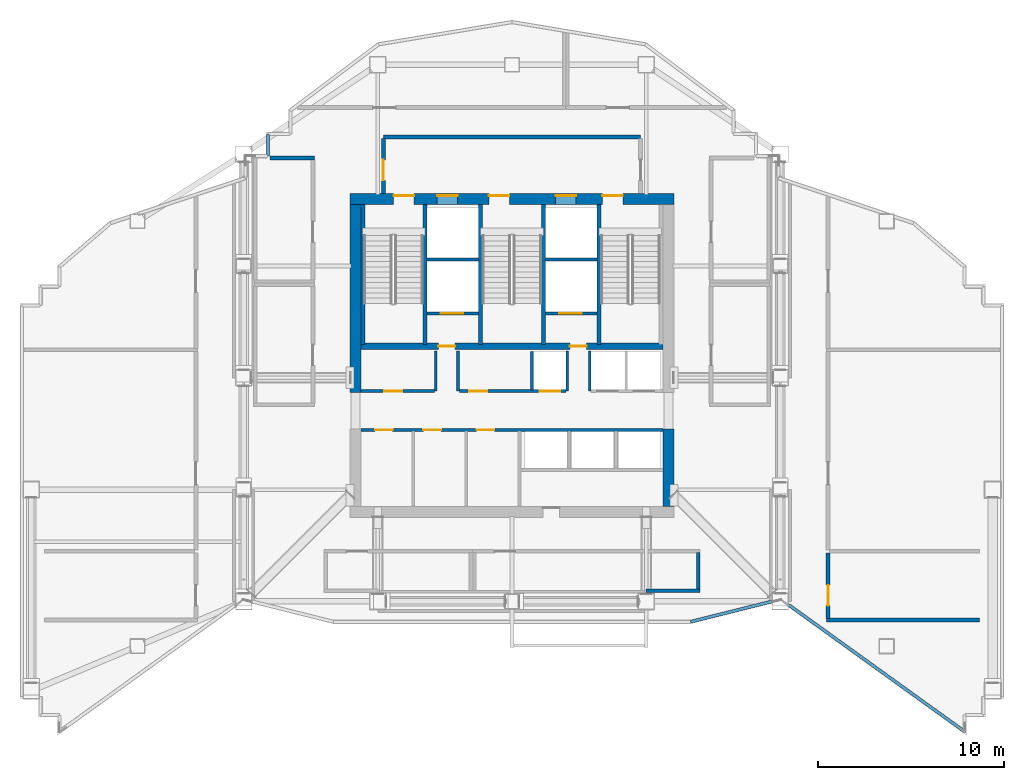
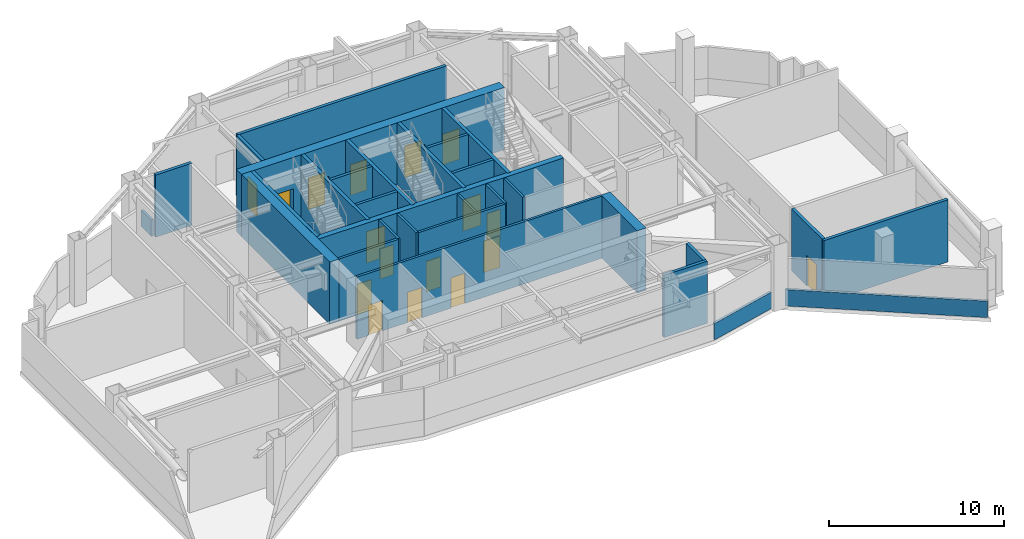
# One storey, part 13 of 19: 31 walls, 17 doors, 17 openings.
"""IFC4 building model written with IfcOpenShell, lengths in metres."""

from ifc_helpers import new_model, si_unit, direction, frame, frame_2d, origin, place, context, subcontext, project, spatial, rectangle, extrude, material, layer, layer_set, type_object, element, fill, save


model = new_model("IFC4")

# Units and contexts
model_context = context("Model", 3, precision=1e-05, world=origin(), true_north=direction((0.0, 1.0)))
body_context = subcontext(model_context, "Body", "Model", "MODEL_VIEW")
ifc_project = project(units=[si_unit("LENGTHUNIT", "METRE"), si_unit("AREAUNIT", "SQUARE_METRE"), si_unit("VOLUMEUNIT", "CUBIC_METRE"), si_unit("PLANEANGLEUNIT", "RADIAN"), si_unit("MASSUNIT", "GRAM", prefix="KILO")], contexts=[model_context])

# Site, building, storey
site_placement = place(None, origin())
site = spatial("IfcSite", under=ifc_project, at=site_placement, CompositionType="ELEMENT")
building_placement = place(site_placement, origin())
building = spatial("IfcBuilding", under=site, at=building_placement, Name="Haolan Belvedere Tower", CompositionType="ELEMENT")
storey_placement = place(building_placement, frame((0.0, 0.0, 230.60009765625)))
storey = spatial("IfcBuildingStorey", under=building, at=storey_placement, Name="L58", CompositionType="ELEMENT", Elevation=230.60009765625)

# Wall, openings, doors
ifc_material_1 = material(Name="Concrete C60/75", Category="concrete")
ifc_layer_1 = layer(ifc_material_1, 0.60009765625, Name="Concrete C60/75")
ifc_layer_set_1 = layer_set([ifc_layer_1], Name="Concrete C60/75")
wall_type_1 = type_object("IfcWallType", Name="WL-CORE-600", PredefinedType="SHEAR", material=ifc_layer_set_1)
wall_1_placement = place(storey_placement, frame((29.699951171875, 43.199951171875, 0.0), z_axis=(0.0, 0.0, 1.0), x_axis=(1.0, 0.0, 0.0)))
wall_1 = element("IfcWall", 1, at=wall_1_placement, inside=storey, type_object=wall_type_1, Name="L58 central core north shear wall", PredefinedType="SHEAR", context=body_context, shape_type="SweptSolid", body=[
    extrude(rectangle(XDim=17.400146484375, YDim=0.60009765625, at=frame_2d((8.7001953125, 0.0))), origin(), (0.0, 0.0, 1.0), 4.349853515625),
])
opening_1_placement = place(wall_1_placement, frame((2.35009765625, 0.0, 0.0)))
opening_1 = element("IfcOpeningElement", 2, at=opening_1_placement, cuts=wall_1, Name="Opening FD-03", PredefinedType="OPENING", context=body_context, shape_type="SweptSolid", body=[
    extrude(rectangle(XDim=1.10009765625, YDim=2.14990234375, at=frame_2d((0.550048828125, 1.074951171875))), frame((0.0, 0.31005859375, 0.0), z_axis=(0.0, -1.0, 0.0), x_axis=(1.0, 0.0, 0.0)), (0.0, 0.0, 1.0), 0.6201171875),
])
opening_2_placement = place(wall_1_placement, frame((7.4599609375, 0.0, 0.0)))
opening_2 = element("IfcOpeningElement", 3, at=opening_2_placement, cuts=wall_1, Name="Opening FD-03", PredefinedType="OPENING", context=body_context, shape_type="SweptSolid", body=[
    extrude(rectangle(XDim=1.10009765625, YDim=2.14990234375, at=frame_2d((0.550048828125, 1.074951171875))), frame((0.0, 0.31005859375, 0.0), z_axis=(0.0, -1.0, 0.0), x_axis=(1.0, 0.0, 0.0)), (0.0, 0.0, 1.0), 0.6201171875),
])
opening_3_placement = place(wall_1_placement, frame((13.550048828125, 0.0, 0.0)))
opening_3 = element("IfcOpeningElement", 4, at=opening_3_placement, cuts=wall_1, Name="Opening FD-03", PredefinedType="OPENING", context=body_context, shape_type="SweptSolid", body=[
    extrude(rectangle(XDim=1.10009765625, YDim=2.14990234375, at=frame_2d((0.550048828125, 1.074951171875))), frame((0.0, 0.31005859375, 0.0), z_axis=(0.0, -1.0, 0.0), x_axis=(1.0, 0.0, 0.0)), (0.0, 0.0, 1.0), 0.6201171875),
])
opening_4_placement = place(wall_1_placement, frame((4.679931640625, 0.0, 0.0)))
opening_4 = element("IfcOpeningElement", 5, at=opening_4_placement, cuts=wall_1, Name="Opening LD-01", PredefinedType="OPENING", context=body_context, shape_type="SweptSolid", body=[
    extrude(rectangle(XDim=1.10009765625, YDim=2.199951171875, at=frame_2d((0.550048828125, 1.10009765625))), frame((0.0, 0.31005859375, 0.0), z_axis=(0.0, -1.0, 0.0), x_axis=(1.0, 0.0, 0.0)), (0.0, 0.0, 1.0), 0.6201171875),
])
opening_5_placement = place(wall_1_placement, frame((11.0400390625, 0.0, 0.0)))
opening_5 = element("IfcOpeningElement", 6, at=opening_5_placement, cuts=wall_1, Name="Opening LD-01", PredefinedType="OPENING", context=body_context, shape_type="SweptSolid", body=[
    extrude(rectangle(XDim=1.10009765625, YDim=2.199951171875, at=frame_2d((0.550048828125, 1.10009765625))), frame((0.0, 0.31005859375, 0.0), z_axis=(0.0, -1.0, 0.0), x_axis=(1.0, 0.0, 0.0)), (0.0, 0.0, 1.0), 0.6201171875),
])
ifc_material_2 = material(Name="Galvanised fire-rated steel", Category="steel")
door_type_1 = type_object("IfcDoorType", Name="DR-FD90-1100", OperationType="NOTDEFINED", PredefinedType="DOOR", material=ifc_material_2)
door_1_placement = place(opening_1_placement, origin())
door_1 = element("IfcDoor", 7, at=door_1_placement, inside=storey, type_object=door_type_1, Name="L58 door CD-L58-ST1", OperationType="SINGLE_SWING_LEFT", OverallHeight=2.14990234375, OverallWidth=1.10009765625, PredefinedType="DOOR", context=body_context, shape_type="SweptSolid", body=[
    extrude(rectangle(XDim=1.10009765625, YDim=2.14990234375, at=frame_2d((0.550048828125, 1.074951171875))), frame((0.0, 0.18505859375, 0.0), z_axis=(0.0, -1.0, 0.0), x_axis=(1.0, 0.0, 0.0)), (0.0, 0.0, 1.0), 0.050048828125),
])
fill(opening_1, door_1)
door_2_placement = place(opening_2_placement, origin())
door_2 = element("IfcDoor", 8, at=door_2_placement, inside=storey, type_object=door_type_1, Name="L58 door CD-L58-ST3", OperationType="SINGLE_SWING_LEFT", OverallHeight=2.14990234375, OverallWidth=1.10009765625, PredefinedType="DOOR", context=body_context, shape_type="SweptSolid", body=[
    extrude(rectangle(XDim=1.10009765625, YDim=2.14990234375, at=frame_2d((0.550048828125, 1.074951171875))), frame((0.0, 0.18505859375, 0.0), z_axis=(0.0, -1.0, 0.0), x_axis=(1.0, 0.0, 0.0)), (0.0, 0.0, 1.0), 0.050048828125),
])
fill(opening_2, door_2)
door_3_placement = place(opening_3_placement, origin())
door_3 = element("IfcDoor", 9, at=door_3_placement, inside=storey, type_object=door_type_1, Name="L58 door CD-L58-ST2", OperationType="SINGLE_SWING_RIGHT", OverallHeight=2.14990234375, OverallWidth=1.10009765625, PredefinedType="DOOR", context=body_context, shape_type="SweptSolid", body=[
    extrude(rectangle(XDim=1.10009765625, YDim=2.14990234375, at=frame_2d((0.550048828125, 1.074951171875))), frame((0.0, 0.18505859375, 0.0), z_axis=(0.0, -1.0, 0.0), x_axis=(1.0, 0.0, 0.0)), (0.0, 0.0, 1.0), 0.050048828125),
])
fill(opening_3, door_3)
ifc_material_3 = material(Name="Brushed champagne stainless steel 316L", Category="steel")
door_type_2 = type_object("IfcDoorType", Name="DR-LIFT-1100", OperationType="SLIDING_TO_LEFT", PredefinedType="DOOR", material=ifc_material_3)
door_4_placement = place(opening_4_placement, origin())
door_4 = element("IfcDoor", 10, at=door_4_placement, inside=storey, type_object=door_type_2, Name="L58 door LD-L58-FF1", OperationType="SLIDING_TO_LEFT", OverallHeight=2.199951171875, OverallWidth=1.10009765625, PredefinedType="DOOR", context=body_context, shape_type="SweptSolid", body=[
    extrude(rectangle(XDim=1.10009765625, YDim=2.199951171875, at=frame_2d((0.550048828125, 1.10009765625))), frame((0.0, 0.18505859375, 0.0), z_axis=(0.0, -1.0, 0.0), x_axis=(1.0, 0.0, 0.0)), (0.0, 0.0, 1.0), 0.050048828125),
])
fill(opening_4, door_4)
door_5_placement = place(opening_5_placement, origin())
door_5 = element("IfcDoor", 11, at=door_5_placement, inside=storey, type_object=door_type_2, Name="L58 door LD-L58-FF2", OperationType="SLIDING_TO_LEFT", OverallHeight=2.199951171875, OverallWidth=1.10009765625, PredefinedType="DOOR", context=body_context, shape_type="SweptSolid", body=[
    extrude(rectangle(XDim=1.10009765625, YDim=2.199951171875, at=frame_2d((0.550048828125, 1.10009765625))), frame((0.0, 0.18505859375, 0.0), z_axis=(0.0, -1.0, 0.0), x_axis=(1.0, 0.0, 0.0)), (0.0, 0.0, 1.0), 0.050048828125),
])
fill(opening_5, door_5)

# Walls
wall_2_placement = place(storey_placement, frame((30.0, 32.800048828125, 0.0), z_axis=(0.0, 0.0, 1.0), x_axis=(0.0, 1.0, 0.0)))
element("IfcWall", 12, at=wall_2_placement, inside=storey, type_object=wall_type_1, Name="L58 central core shear wall WN", PredefinedType="SHEAR", context=body_context, shape_type="SweptSolid", body=[
    extrude(rectangle(XDim=10.099853515625, YDim=0.60009765625, at=frame_2d((5.0498046875, 0.0))), origin(), (0.0, 0.0, 1.0), 4.349853515625),
])
wall_3_placement = place(storey_placement, frame((46.800048828125, 26.699951171875, 0.0), z_axis=(0.0, 0.0, 1.0), x_axis=(0.0, 1.0, 0.0)))
element("IfcWall", 13, at=wall_3_placement, inside=storey, type_object=wall_type_1, Name="L58 central core shear wall ES", PredefinedType="SHEAR", context=body_context, shape_type="SweptSolid", body=[
    extrude(rectangle(XDim=4.150146484375, YDim=0.60009765625, at=frame_2d((2.0751953125, 0.0))), origin(), (0.0, 0.0, 1.0), 4.349853515625),
])
ifc_material_4 = material(Name="Concrete C40/50", Category="concrete")
ifc_layer_2 = layer(ifc_material_4, 0.199951171875, Name="Concrete C40/50")
ifc_layer_set_2 = layer_set([ifc_layer_2], Name="Concrete C40/50")
wall_type_2 = type_object("IfcWallType", Name="WL-FIRE-200", PredefinedType="SOLIDWALL", material=ifc_layer_set_2)
wall_4_placement = place(storey_placement, frame((31.5, 46.52001953125, 0.0), z_axis=(0.0, 0.0, 1.0), x_axis=(1.0, 0.0, 0.0)))
element("IfcWall", 14, at=wall_4_placement, inside=storey, type_object=wall_type_2, Name="L58 interior partition IW-L58-FFL-N", PredefinedType="SOLIDWALL", context=body_context, shape_type="SweptSolid", body=[
    extrude(rectangle(XDim=13.800048828125, YDim=0.199951171875, at=frame_2d((6.89990234375, 0.0))), origin(), (0.0, 0.0, 1.0), 4.349853515625),
])

# Wall, opening, door
wall_5_placement = place(storey_placement, frame((31.5, 43.5, 0.0), z_axis=(0.0, 0.0, 1.0), x_axis=(0.0, 1.0, 0.0)))
wall_5 = element("IfcWall", 15, at=wall_5_placement, inside=storey, type_object=wall_type_2, Name="L58 interior partition IW-L58-FFL-W", PredefinedType="SOLIDWALL", context=body_context, shape_type="SweptSolid", body=[
    extrude(rectangle(XDim=2.93505859375, YDim=0.199951171875, at=frame_2d((1.467529296875, 0.0))), origin(), (0.0, 0.0, 1.0), 4.349853515625),
])
opening_6_placement = place(wall_5_placement, frame((1.800048828125, 0.0, 0.0), z_axis=(0.0, 0.0, 1.0), x_axis=(-1.0, 0.0, 0.0)))
opening_6 = element("IfcOpeningElement", 16, at=opening_6_placement, cuts=wall_5, Name="Opening FD-03", PredefinedType="OPENING", context=body_context, shape_type="SweptSolid", body=[
    extrude(rectangle(XDim=1.10009765625, YDim=2.14990234375, at=frame_2d((0.550048828125, 1.074951171875))), frame((0.0, 0.10986328125, 0.0), z_axis=(0.0, -1.0, 0.0), x_axis=(1.0, 0.0, 0.0)), (0.0, 0.0, 1.0), 0.219970703125),
])
door_6_placement = place(opening_6_placement, origin())
door_6 = element("IfcDoor", 17, at=door_6_placement, inside=storey, type_object=door_type_1, Name="L58 door ID-L58-FFL-DW", OperationType="SINGLE_SWING_LEFT", OverallHeight=2.14990234375, OverallWidth=1.10009765625, PredefinedType="DOOR", context=body_context, shape_type="SweptSolid", body=[
    extrude(rectangle(XDim=1.10009765625, YDim=2.14990234375, at=frame_2d((0.550048828125, 1.074951171875))), frame((0.0, 0.02490234375, 0.0), z_axis=(0.0, -1.0, 0.0), x_axis=(1.0, 0.0, 0.0)), (0.0, 0.0, 1.0), 0.050048828125),
])
fill(opening_6, door_6)

# Walls
wall_6_placement = place(storey_placement, frame((25.412109375, 45.39990234375, 0.0), z_axis=(0.0, 0.0, 1.0), x_axis=(1.0, 0.0, 0.0)))
element("IfcWall", 18, at=wall_6_placement, inside=storey, type_object=wall_type_2, Name="L58 interior partition IW-L58-REF-WI2-N", PredefinedType="SOLIDWALL", context=body_context, shape_type="SweptSolid", body=[
    extrude(rectangle(XDim=2.387939453125, YDim=0.199951171875, at=frame_2d((1.19384765625, 0.0))), origin(), (0.0, 0.0, 1.0), 4.349853515625),
])
wall_7_placement = place(storey_placement, frame((45.60205078125, 22.179931640625, 0.0), z_axis=(0.0, 0.0, 1.0), x_axis=(1.0, 0.0, 0.0)))
element("IfcWall", 19, at=wall_7_placement, inside=storey, type_object=wall_type_2, Name="L58 interior partition IW-L58-PLT-CHW-S", PredefinedType="SOLIDWALL", context=body_context, shape_type="SweptSolid", body=[
    extrude(rectangle(XDim=2.8779296875, YDim=0.199951171875, at=frame_2d((1.43896484375, 0.0))), origin(), (0.0, 0.0, 1.0), 4.349853515625),
])
wall_8_placement = place(storey_placement, frame((48.39990234375, 22.264892578125, 0.0), z_axis=(0.0, 0.0, 1.0), x_axis=(0.0, 1.0, 0.0)))
element("IfcWall", 20, at=wall_8_placement, inside=storey, type_object=wall_type_2, Name="L58 interior partition IW-L58-PLT-CHW-E", PredefinedType="SOLIDWALL", context=body_context, shape_type="SweptSolid", body=[
    extrude(rectangle(XDim=1.9501953125, YDim=0.199951171875, at=frame_2d((0.97509765625, 0.0))), origin(), (0.0, 0.0, 1.0), 4.349853515625),
])
wall_9_placement = place(storey_placement, frame((55.280029296875, 20.60009765625, 0.0), z_axis=(0.0, 0.0, 1.0), x_axis=(1.0, 0.0, 0.0)))
element("IfcWall", 21, at=wall_9_placement, inside=storey, type_object=wall_type_2, Name="L58 interior partition IW-L58-PLT-TNK-S", PredefinedType="SOLIDWALL", context=body_context, shape_type="SweptSolid", body=[
    extrude(rectangle(XDim=8.199951171875, YDim=0.199951171875, at=frame_2d((4.10009765625, 0.0))), origin(), (0.0, 0.0, 1.0), 4.349853515625),
])

# Wall, opening, door
wall_10_placement = place(storey_placement, frame((55.360107421875, 20.68505859375, 0.0), z_axis=(0.0, 0.0, 1.0), x_axis=(0.0, 1.0, 0.0)))
wall_10 = element("IfcWall", 22, at=wall_10_placement, inside=storey, type_object=wall_type_2, Name="L58 interior partition IW-L58-PLT-TNK-W", PredefinedType="SOLIDWALL", context=body_context, shape_type="SweptSolid", body=[
    extrude(rectangle(XDim=3.52001953125, YDim=0.199951171875, at=frame_2d((1.760009765625, 0.0))), origin(), (0.0, 0.0, 1.0), 4.349853515625),
])
opening_7_placement = place(wall_10_placement, frame((0.68505859375, 0.0, 0.0)))
opening_7 = element("IfcOpeningElement", 23, at=opening_7_placement, cuts=wall_10, Name="Opening FD-03", PredefinedType="OPENING", context=body_context, shape_type="SweptSolid", body=[
    extrude(rectangle(XDim=1.10009765625, YDim=2.14990234375, at=frame_2d((0.550048828125, 1.074951171875))), frame((0.0, 0.10986328125, 0.0), z_axis=(0.0, -1.0, 0.0), x_axis=(1.0, 0.0, 0.0)), (0.0, 0.0, 1.0), 0.219970703125),
])
door_7_placement = place(opening_7_placement, origin())
door_7 = element("IfcDoor", 24, at=door_7_placement, inside=storey, type_object=door_type_1, Name="L58 door ID-L58-PLT-TNK", OperationType="SINGLE_SWING_LEFT", OverallHeight=2.14990234375, OverallWidth=1.10009765625, PredefinedType="DOOR", context=body_context, shape_type="SweptSolid", body=[
    extrude(rectangle(XDim=1.10009765625, YDim=2.14990234375, at=frame_2d((0.550048828125, 1.074951171875))), frame((0.0, 0.02490234375, 0.0), z_axis=(0.0, -1.0, 0.0), x_axis=(1.0, 0.0, 0.0)), (0.0, 0.0, 1.0), 0.050048828125),
])
fill(opening_7, door_7)

# Walls
ifc_material_5 = material(Name="Precast concrete C40/50", Category="concrete")
ifc_layer_3 = layer(ifc_material_5, 0.159912109375, Name="Precast concrete C40/50")
ifc_layer_set_3 = layer_set([ifc_layer_3], Name="Precast concrete C40/50")
wall_type_3 = type_object("IfcWallType", Name="WL-PAR-160", PredefinedType="PARAPET", material=ifc_layer_set_3)
wall_11_placement = place(storey_placement, frame((47.986572265625, 20.510009765625, 0.0), z_axis=(0.0, 0.0, 1.0), x_axis=(0.970145687294, 0.242522876086, 0.0)))
element("IfcWall", 25, at=wall_11_placement, inside=storey, type_object=wall_type_3, Name="L58 refuge open-band parapet 2.1", PredefinedType="PARAPET", context=body_context, shape_type="SweptSolid", body=[
    extrude(rectangle(XDim=4.505859375, YDim=0.159912109375, at=frame_2d((2.2529296875, 0.0))), origin(), (0.0, 0.0, 1.0), 1.14990234375),
])
wall_12_placement = place(storey_placement, frame((53.241943359375, 21.417236328125, 0.0), z_axis=(0.0, 0.0, 1.0), x_axis=(0.811537125723, -0.584300858782, 0.0)))
element("IfcWall", 26, at=wall_12_placement, inside=storey, type_object=wall_type_3, Name="L58 refuge open-band parapet 3.1", PredefinedType="PARAPET", context=body_context, shape_type="SweptSolid", body=[
    extrude(rectangle(XDim=11.64208984375, YDim=0.159912109375, at=frame_2d((5.821044921875, 0.0))), origin(), (0.0, 0.0, 1.0), 1.14990234375),
])
wall_13_placement = place(storey_placement, frame((25.31005859375, 46.659912109375, 0.0), z_axis=(0.0, 0.0, 1.0), x_axis=(0.0, -1.0, 0.0)))
element("IfcWall", 27, at=wall_13_placement, inside=storey, type_object=wall_type_3, Name="L58 refuge open-band parapet 26.1", PredefinedType="PARAPET", context=body_context, shape_type="SweptSolid", body=[
    extrude(rectangle(XDim=1.169921875, YDim=0.159912109375, at=frame_2d((0.5849609375, 0.0))), origin(), (0.0, 0.0, 1.0), 1.14990234375),
])
ifc_material_6 = material(Name="Gypsum fire shaftwall assembly", Category="masonry")
ifc_layer_4 = layer(ifc_material_6, 0.1650390625, Name="Gypsum fire shaftwall assembly")
ifc_layer_set_4 = layer_set([ifc_layer_4], Name="Gypsum fire shaftwall assembly")
wall_type_4 = type_object("IfcWallType", Name="WL-SHAFT-160", PredefinedType="SOLIDWALL", material=ifc_layer_set_4)
for number, where, z_axis, x_axis, name in (
    (28, (34.31005859375, 32.8798828125, 0.0), (0.0, 0.0, 1.0), (0.0, 1.0, 0.0), "L58 interior partition IW-L58-SVP-W-SV1"),
    (29, (35.510009765625, 32.8798828125, 0.0), (0.0, 0.0, 1.0), (0.0, 1.0, 0.0), "L58 interior partition IW-L58-SVP-E-SV1"),
    (30, (41.3701171875, 32.8798828125, 0.0), (0.0, 0.0, 1.0), (0.0, 1.0, 0.0), "L58 interior partition IW-L58-SVP-W-SV2"),
    (31, (42.570068359375, 32.8798828125, 0.0), (0.0, 0.0, 1.0), (0.0, 1.0, 0.0), "L58 interior partition IW-L58-SVP-E-SV2"),
):
    element("IfcWall", number, at=place(storey_placement, frame(where, z_axis=z_axis, x_axis=x_axis)), inside=storey, type_object=wall_type_4, Name=name, PredefinedType="SOLIDWALL", context=body_context, shape_type="SweptSolid", body=[
        extrude(rectangle(XDim=2.170166015625, YDim=0.14990234375, at=frame_2d((1.0849609375, 0.0))), origin(), (0.0, 0.0, 1.0), 4.349853515625),
    ])

# Wall, opening, door
wall_14_placement = place(storey_placement, frame((30.300048828125, 32.8798828125, 0.0), z_axis=(0.0, 0.0, 1.0), x_axis=(1.0, 0.0, 0.0)))
wall_14 = element("IfcWall", 32, at=wall_14_placement, inside=storey, type_object=wall_type_4, Name="L58 interior partition IW-L58-ROW-PN1", PredefinedType="SOLIDWALL", context=body_context, shape_type="SweptSolid", body=[
    extrude(rectangle(XDim=3.949951171875, YDim=0.159912109375, at=frame_2d((1.97509765625, 0.0))), origin(), (0.0, 0.0, 1.0), 4.349853515625),
])
opening_8_placement = place(wall_14_placement, frame((2.199951171875, 0.0, 0.0), z_axis=(0.0, 0.0, 1.0), x_axis=(-1.0, 0.0, 0.0)))
opening_8 = element("IfcOpeningElement", 33, at=opening_8_placement, cuts=wall_14, Name="Opening ID-03", PredefinedType="OPENING", context=body_context, shape_type="SweptSolid", body=[
    extrude(rectangle(XDim=0.949951171875, YDim=2.1201171875, at=frame_2d((0.47509765625, 1.06005859375))), frame((0.0, 0.08984375, 0.0), z_axis=(0.0, -1.0, 0.0), x_axis=(1.0, 0.0, 0.0)), (0.0, 0.0, 1.0), 0.179931640625),
])
ifc_material_7 = material(Name="Painted solid-core timber", Category="wood")
door_type_3 = type_object("IfcDoorType", Name="DR-INT-950", OperationType="NOTDEFINED", PredefinedType="DOOR", material=ifc_material_7)
door_8_placement = place(opening_8_placement, origin())
door_8 = element("IfcDoor", 34, at=door_8_placement, inside=storey, type_object=door_type_3, Name="L58 door ID-L58-CD-RPLW", OperationType="SINGLE_SWING_LEFT", OverallHeight=2.1201171875, OverallWidth=0.949951171875, PredefinedType="DOOR", context=body_context, shape_type="SweptSolid", body=[
    extrude(rectangle(XDim=0.949951171875, YDim=2.1201171875, at=frame_2d((0.47509765625, 1.06005859375))), frame((0.0, 0.02490234375, 0.0), z_axis=(0.0, -1.0, 0.0), x_axis=(1.0, 0.0, 0.0)), (0.0, 0.0, 1.0), 0.050048828125),
])
fill(opening_8, door_8)

# Wall, openings, doors
wall_15_placement = place(storey_placement, frame((35.570068359375, 32.8798828125, 0.0), z_axis=(0.0, 0.0, 1.0), x_axis=(1.0, 0.0, 0.0)))
wall_15 = element("IfcWall", 35, at=wall_15_placement, inside=storey, type_object=wall_type_4, Name="L58 interior partition IW-L58-ROW-PN2", PredefinedType="SOLIDWALL", context=body_context, shape_type="SweptSolid", body=[
    extrude(rectangle(XDim=5.739990234375, YDim=0.159912109375, at=frame_2d((2.8701171875, 0.0))), origin(), (0.0, 0.0, 1.0), 4.349853515625),
])
opening_9_placement = place(wall_15_placement, frame((1.489990234375, 0.0, 0.0), z_axis=(0.0, 0.0, 1.0), x_axis=(-1.0, 0.0, 0.0)))
opening_9 = element("IfcOpeningElement", 36, at=opening_9_placement, cuts=wall_15, Name="Opening ID-03", PredefinedType="OPENING", context=body_context, shape_type="SweptSolid", body=[
    extrude(rectangle(XDim=0.949951171875, YDim=2.1201171875, at=frame_2d((0.47509765625, 1.06005859375))), frame((0.0, 0.08984375, 0.0), z_axis=(0.0, -1.0, 0.0), x_axis=(1.0, 0.0, 0.0)), (0.0, 0.0, 1.0), 0.179931640625),
])
opening_10_placement = place(wall_15_placement, frame((5.43017578125, 0.0, 0.0), z_axis=(0.0, 0.0, 1.0), x_axis=(-1.0, 0.0, 0.0)))
opening_10 = element("IfcOpeningElement", 37, at=opening_10_placement, cuts=wall_15, Name="Opening LD-01", PredefinedType="OPENING", context=body_context, shape_type="SweptSolid", body=[
    extrude(rectangle(XDim=1.10009765625, YDim=2.199951171875, at=frame_2d((0.550048828125, 1.10009765625))), frame((0.0, 0.08984375, 0.0), z_axis=(0.0, -1.0, 0.0), x_axis=(1.0, 0.0, 0.0)), (0.0, 0.0, 1.0), 0.179931640625),
])
door_9_placement = place(opening_9_placement, origin())
door_9 = element("IfcDoor", 38, at=door_9_placement, inside=storey, type_object=door_type_3, Name="L58 door ID-L58-CD-RPLE", OperationType="SINGLE_SWING_RIGHT", OverallHeight=2.1201171875, OverallWidth=0.949951171875, PredefinedType="DOOR", context=body_context, shape_type="SweptSolid", body=[
    extrude(rectangle(XDim=0.949951171875, YDim=2.1201171875, at=frame_2d((0.47509765625, 1.06005859375))), frame((0.0, 0.02490234375, 0.0), z_axis=(0.0, -1.0, 0.0), x_axis=(1.0, 0.0, 0.0)), (0.0, 0.0, 1.0), 0.050048828125),
])
fill(opening_9, door_9)
door_10_placement = place(opening_10_placement, origin())
door_10 = element("IfcDoor", 39, at=door_10_placement, inside=storey, type_object=door_type_2, Name="L58 door ID-L58-LD-PH1", OperationType="SLIDING_TO_RIGHT", OverallHeight=2.199951171875, OverallWidth=1.10009765625, PredefinedType="DOOR", context=body_context, shape_type="SweptSolid", body=[
    extrude(rectangle(XDim=1.10009765625, YDim=2.199951171875, at=frame_2d((0.550048828125, 1.10009765625))), frame((0.0, 0.02490234375, 0.0), z_axis=(0.0, -1.0, 0.0), x_axis=(1.0, 0.0, 0.0)), (0.0, 0.0, 1.0), 0.050048828125),
])
fill(opening_10, door_10)

# Wall
wall_16_placement = place(storey_placement, frame((39.469970703125, 32.949951171875, 0.0), z_axis=(0.0, 0.0, 1.0), x_axis=(0.0, 1.0, 0.0)))
element("IfcWall", 40, at=wall_16_placement, inside=storey, type_object=wall_type_4, Name="L58 interior partition IW-L58-DIV-PL4R", PredefinedType="SOLIDWALL", context=body_context, shape_type="SweptSolid", body=[
    extrude(rectangle(XDim=2.050048828125, YDim=0.14990234375, at=frame_2d((1.02490234375, 0.0))), origin(), (0.0, 0.0, 1.0), 4.349853515625),
])

# Wall, openings, doors
wall_17_placement = place(storey_placement, frame((30.300048828125, 30.800048828125, 0.0), z_axis=(0.0, 0.0, 1.0), x_axis=(1.0, 0.0, 0.0)))
wall_17 = element("IfcWall", 41, at=wall_17_placement, inside=storey, type_object=wall_type_4, Name="L58 interior partition IW-L58-ROW-PS", PredefinedType="SOLIDWALL", context=body_context, shape_type="SweptSolid", body=[
    extrude(rectangle(XDim=16.199951171875, YDim=0.159912109375, at=frame_2d((8.10009765625, 0.0))), origin(), (0.0, 0.0, 1.0), 4.349853515625),
])
opening_11_placement = place(wall_17_placement, frame((0.75, 0.0, 0.0)))
opening_11 = element("IfcOpeningElement", 42, at=opening_11_placement, cuts=wall_17, Name="Opening ID-03", PredefinedType="OPENING", context=body_context, shape_type="SweptSolid", body=[
    extrude(rectangle(XDim=0.949951171875, YDim=2.1201171875, at=frame_2d((0.47509765625, 1.06005859375))), frame((0.0, 0.08984375, 0.0), z_axis=(0.0, -1.0, 0.0), x_axis=(1.0, 0.0, 0.0)), (0.0, 0.0, 1.0), 0.179931640625),
])
opening_12_placement = place(wall_17_placement, frame((3.35009765625, 0.0, 0.0)))
opening_12 = element("IfcOpeningElement", 43, at=opening_12_placement, cuts=wall_17, Name="Opening ID-03", PredefinedType="OPENING", context=body_context, shape_type="SweptSolid", body=[
    extrude(rectangle(XDim=0.949951171875, YDim=2.1201171875, at=frame_2d((0.47509765625, 1.06005859375))), frame((0.0, 0.08984375, 0.0), z_axis=(0.0, -1.0, 0.0), x_axis=(1.0, 0.0, 0.0)), (0.0, 0.0, 1.0), 0.179931640625),
])
opening_13_placement = place(wall_17_placement, frame((6.199951171875, 0.0, 0.0)))
opening_13 = element("IfcOpeningElement", 44, at=opening_13_placement, cuts=wall_17, Name="Opening ID-03", PredefinedType="OPENING", context=body_context, shape_type="SweptSolid", body=[
    extrude(rectangle(XDim=0.949951171875, YDim=2.1201171875, at=frame_2d((0.47509765625, 1.06005859375))), frame((0.0, 0.08984375, 0.0), z_axis=(0.0, -1.0, 0.0), x_axis=(1.0, 0.0, 0.0)), (0.0, 0.0, 1.0), 0.179931640625),
])
door_11_placement = place(opening_11_placement, origin())
door_11 = element("IfcDoor", 45, at=door_11_placement, inside=storey, type_object=door_type_3, Name="L58 door ID-L58-CD-RPMA", OperationType="SINGLE_SWING_LEFT", OverallHeight=2.1201171875, OverallWidth=0.949951171875, PredefinedType="DOOR", context=body_context, shape_type="SweptSolid", body=[
    extrude(rectangle(XDim=0.949951171875, YDim=2.1201171875, at=frame_2d((0.47509765625, 1.06005859375))), frame((0.0, 0.02490234375, 0.0), z_axis=(0.0, -1.0, 0.0), x_axis=(1.0, 0.0, 0.0)), (0.0, 0.0, 1.0), 0.050048828125),
])
fill(opening_11, door_11)
door_12_placement = place(opening_12_placement, origin())
door_12 = element("IfcDoor", 46, at=door_12_placement, inside=storey, type_object=door_type_3, Name="L58 door ID-L58-CD-RPMB", OperationType="SINGLE_SWING_RIGHT", OverallHeight=2.1201171875, OverallWidth=0.949951171875, PredefinedType="DOOR", context=body_context, shape_type="SweptSolid", body=[
    extrude(rectangle(XDim=0.949951171875, YDim=2.1201171875, at=frame_2d((0.47509765625, 1.06005859375))), frame((0.0, 0.02490234375, 0.0), z_axis=(0.0, -1.0, 0.0), x_axis=(1.0, 0.0, 0.0)), (0.0, 0.0, 1.0), 0.050048828125),
])
fill(opening_12, door_12)
door_13_placement = place(opening_13_placement, origin())
door_13 = element("IfcDoor", 47, at=door_13_placement, inside=storey, type_object=door_type_3, Name="L58 door ID-L58-CD-RPMC", OperationType="SINGLE_SWING_LEFT", OverallHeight=2.1201171875, OverallWidth=0.949951171875, PredefinedType="DOOR", context=body_context, shape_type="SweptSolid", body=[
    extrude(rectangle(XDim=0.949951171875, YDim=2.1201171875, at=frame_2d((0.47509765625, 1.06005859375))), frame((0.0, 0.02490234375, 0.0), z_axis=(0.0, -1.0, 0.0), x_axis=(1.0, 0.0, 0.0)), (0.0, 0.0, 1.0), 0.050048828125),
])
fill(opening_13, door_13)

# Walls
ifc_layer_5 = layer(ifc_material_5, 0.179931640625, Name="Precast concrete C40/50")
ifc_layer_set_5 = layer_set([ifc_layer_5], Name="Precast concrete C40/50")
wall_type_5 = type_object("IfcWallType", Name="WL-SHAFT-180", PredefinedType="SOLIDWALL", material=ifc_layer_set_5)
for number, where, z_axis, x_axis, name in (
    (48, (33.8349609375, 39.949951171875, 0.0), (0.0, 0.0, 1.0), (1.0, 0.0, 0.0), "L58 interior partition IW-L58-FF1-S"),
    (49, (40.195068359375, 39.949951171875, 0.0), (0.0, 0.0, 1.0), (1.0, 0.0, 0.0), "L58 interior partition IW-L58-FF2-S"),
):
    element("IfcWall", number, at=place(storey_placement, frame(where, z_axis=z_axis, x_axis=x_axis)), inside=storey, type_object=wall_type_5, Name=name, PredefinedType="SOLIDWALL", context=body_context, shape_type="SweptSolid", body=[
        extrude(rectangle(XDim=2.77001953125, YDim=0.179931640625, at=frame_2d((1.385009765625, 0.0))), origin(), (0.0, 0.0, 1.0), 4.349853515625),
    ])

# Wall, opening, door
wall_18_placement = place(storey_placement, frame((33.8349609375, 37.050048828125, 0.0), z_axis=(0.0, 0.0, 1.0), x_axis=(1.0, 0.0, 0.0)))
wall_18 = element("IfcWall", 50, at=wall_18_placement, inside=storey, type_object=wall_type_5, Name="L58 interior partition IW-L58-SV1-S", PredefinedType="SOLIDWALL", context=body_context, shape_type="SweptSolid", body=[
    extrude(rectangle(XDim=2.77001953125, YDim=0.179931640625, at=frame_2d((1.385009765625, 0.0))), origin(), (0.0, 0.0, 1.0), 4.349853515625),
])
opening_14_placement = place(wall_18_placement, frame((1.945068359375, 0.0, 0.0), z_axis=(0.0, 0.0, 1.0), x_axis=(-1.0, 0.0, 0.0)))
opening_14 = element("IfcOpeningElement", 51, at=opening_14_placement, cuts=wall_18, Name="Opening LD-02", PredefinedType="OPENING", context=body_context, shape_type="SweptSolid", body=[
    extrude(rectangle(XDim=1.199951171875, YDim=2.199951171875, at=frame_2d((0.60009765625, 1.10009765625))), frame((0.0, 0.099853515625, 0.0), z_axis=(0.0, -1.0, 0.0), x_axis=(1.0, 0.0, 0.0)), (0.0, 0.0, 1.0), 0.199951171875),
])
door_type_4 = type_object("IfcDoorType", Name="DR-LIFT-1200", OperationType="SLIDING_TO_RIGHT", PredefinedType="DOOR", material=ifc_material_3)
door_14_placement = place(opening_14_placement, origin())
door_14 = element("IfcDoor", 52, at=door_14_placement, inside=storey, type_object=door_type_4, Name="L58 door ID-L58-LD-SV1", OperationType="SLIDING_TO_RIGHT", OverallHeight=2.199951171875, OverallWidth=1.199951171875, PredefinedType="DOOR", context=body_context, shape_type="SweptSolid", body=[
    extrude(rectangle(XDim=1.199951171875, YDim=2.199951171875, at=frame_2d((0.60009765625, 1.10009765625))), frame((0.0, 0.02490234375, 0.0), z_axis=(0.0, -1.0, 0.0), x_axis=(1.0, 0.0, 0.0)), (0.0, 0.0, 1.0), 0.050048828125),
])
fill(opening_14, door_14)

wall_19_placement = place(storey_placement, frame((40.195068359375, 37.050048828125, 0.0), z_axis=(0.0, 0.0, 1.0), x_axis=(1.0, 0.0, 0.0)))
wall_19 = element("IfcWall", 53, at=wall_19_placement, inside=storey, type_object=wall_type_5, Name="L58 interior partition IW-L58-SV2-S", PredefinedType="SOLIDWALL", context=body_context, shape_type="SweptSolid", body=[
    extrude(rectangle(XDim=2.77001953125, YDim=0.179931640625, at=frame_2d((1.385009765625, 0.0))), origin(), (0.0, 0.0, 1.0), 4.349853515625),
])
opening_15_placement = place(wall_19_placement, frame((1.945068359375, 0.0, 0.0), z_axis=(0.0, 0.0, 1.0), x_axis=(-1.0, 0.0, 0.0)))
opening_15 = element("IfcOpeningElement", 54, at=opening_15_placement, cuts=wall_19, Name="Opening LD-02", PredefinedType="OPENING", context=body_context, shape_type="SweptSolid", body=[
    extrude(rectangle(XDim=1.199951171875, YDim=2.199951171875, at=frame_2d((0.60009765625, 1.10009765625))), frame((0.0, 0.099853515625, 0.0), z_axis=(0.0, -1.0, 0.0), x_axis=(1.0, 0.0, 0.0)), (0.0, 0.0, 1.0), 0.199951171875),
])
door_15_placement = place(opening_15_placement, origin())
door_15 = element("IfcDoor", 55, at=door_15_placement, inside=storey, type_object=door_type_4, Name="L58 door ID-L58-LD-SV2", OperationType="SLIDING_TO_RIGHT", OverallHeight=2.199951171875, OverallWidth=1.199951171875, PredefinedType="DOOR", context=body_context, shape_type="SweptSolid", body=[
    extrude(rectangle(XDim=1.199951171875, YDim=2.199951171875, at=frame_2d((0.60009765625, 1.10009765625))), frame((0.0, 0.02490234375, 0.0), z_axis=(0.0, -1.0, 0.0), x_axis=(1.0, 0.0, 0.0)), (0.0, 0.0, 1.0), 0.050048828125),
])
fill(opening_15, door_15)

# Walls
ifc_material_8 = material(Name="Concrete C50/60", Category="concrete")
ifc_layer_6 = layer(ifc_material_8, 0.219970703125, Name="Concrete C50/60")
ifc_layer_set_6 = layer_set([ifc_layer_6], Name="Concrete C50/60")
wall_type_6 = type_object("IfcWallType", Name="WL-STAIR-220", PredefinedType="SHEAR", material=ifc_layer_set_6)
for number, where, z_axis, x_axis, name in (
    (56, (30.412109375, 35.389892578125, 0.0), (0.0, 0.0, 1.0), (0.0, 1.0, 0.0), "L58 structural stair core wall ST1W"),
    (57, (33.739990234375, 35.389892578125, 0.0), (0.0, 0.0, 1.0), (0.0, 1.0, 0.0), "L58 structural stair core wall ST1E"),
    (58, (36.699951171875, 35.389892578125, 0.0), (0.0, 0.0, 1.0), (0.0, 1.0, 0.0), "L58 structural stair core wall ST3W"),
    (59, (40.10009765625, 35.389892578125, 0.0), (0.0, 0.0, 1.0), (0.0, 1.0, 0.0), "L58 structural stair core wall ST3E"),
    (60, (43.06005859375, 35.389892578125, 0.0), (0.0, 0.0, 1.0), (0.0, 1.0, 0.0), "L58 structural stair core wall ST2W"),
):
    element("IfcWall", number, at=place(storey_placement, frame(where, z_axis=z_axis, x_axis=x_axis)), inside=storey, type_object=wall_type_6, Name=name, PredefinedType="SHEAR", context=body_context, shape_type="SweptSolid", body=[
        extrude(rectangle(XDim=7.510009765625, YDim=0.219970703125, at=frame_2d((3.7548828125, 0.0))), origin(), (0.0, 0.0, 1.0), 4.349853515625),
    ])

# Wall, openings, doors
ifc_layer_7 = layer(ifc_material_1, 0.360107421875, Name="Concrete C60/75")
ifc_layer_set_7 = layer_set([ifc_layer_7], Name="Concrete C60/75")
wall_type_7 = type_object("IfcWallType", Name="WL-WEB-350", PredefinedType="SHEAR", material=ifc_layer_set_7)
wall_20_placement = place(storey_placement, frame((30.300048828125, 35.2900390625, 0.0), z_axis=(0.0, 0.0, 1.0), x_axis=(1.0, 0.0, 0.0)))
wall_20 = element("IfcWall", 61, at=wall_20_placement, inside=storey, type_object=wall_type_7, Name="L58 central core internal shear web", PredefinedType="SHEAR", context=body_context, shape_type="SweptSolid", body=[
    extrude(rectangle(XDim=16.199951171875, YDim=0.360107421875, at=frame_2d((8.10009765625, 0.0))), origin(), (0.0, 0.0, 1.0), 4.349853515625),
])
opening_16_placement = place(wall_20_placement, frame((5.0498046875, 0.0, 0.0), z_axis=(0.0, 0.0, 1.0), x_axis=(-1.0, 0.0, 0.0)))
opening_16 = element("IfcOpeningElement", 62, at=opening_16_placement, cuts=wall_20, Name="Opening FD-05", PredefinedType="OPENING", context=body_context, shape_type="SweptSolid", body=[
    extrude(rectangle(XDim=0.89990234375, YDim=2.10009765625, at=frame_2d((0.449951171875, 1.050048828125))), frame((0.0, 0.18994140625, 0.0), z_axis=(0.0, -1.0, 0.0), x_axis=(1.0, 0.0, 0.0)), (0.0, 0.0, 1.0), 0.380126953125),
])
opening_17_placement = place(wall_20_placement, frame((12.10986328125, 0.0, 0.0), z_axis=(0.0, 0.0, 1.0), x_axis=(-1.0, 0.0, 0.0)))
opening_17 = element("IfcOpeningElement", 63, at=opening_17_placement, cuts=wall_20, Name="Opening FD-05", PredefinedType="OPENING", context=body_context, shape_type="SweptSolid", body=[
    extrude(rectangle(XDim=0.89990234375, YDim=2.10009765625, at=frame_2d((0.449951171875, 1.050048828125))), frame((0.0, 0.18994140625, 0.0), z_axis=(0.0, -1.0, 0.0), x_axis=(1.0, 0.0, 0.0)), (0.0, 0.0, 1.0), 0.380126953125),
])
door_type_5 = type_object("IfcDoorType", Name="DR-FD60-900", OperationType="NOTDEFINED", PredefinedType="DOOR", material=ifc_material_2)
door_16_placement = place(opening_16_placement, origin())
door_16 = element("IfcDoor", 64, at=door_16_placement, inside=storey, type_object=door_type_5, Name="L58 door CD-L58-SVL-SV1", OperationType="SINGLE_SWING_RIGHT", OverallHeight=2.10009765625, OverallWidth=0.89990234375, PredefinedType="DOOR", context=body_context, shape_type="SweptSolid", body=[
    extrude(rectangle(XDim=0.89990234375, YDim=2.10009765625, at=frame_2d((0.449951171875, 1.050048828125))), frame((0.0, 0.02490234375, 0.0), z_axis=(0.0, -1.0, 0.0), x_axis=(1.0, 0.0, 0.0)), (0.0, 0.0, 1.0), 0.050048828125),
])
fill(opening_16, door_16)
door_17_placement = place(opening_17_placement, origin())
door_17 = element("IfcDoor", 65, at=door_17_placement, inside=storey, type_object=door_type_5, Name="L58 door CD-L58-SVL-SV2", OperationType="SINGLE_SWING_RIGHT", OverallHeight=2.10009765625, OverallWidth=0.89990234375, PredefinedType="DOOR", context=body_context, shape_type="SweptSolid", body=[
    extrude(rectangle(XDim=0.89990234375, YDim=2.10009765625, at=frame_2d((0.449951171875, 1.050048828125))), frame((0.0, 0.02490234375, 0.0), z_axis=(0.0, -1.0, 0.0), x_axis=(1.0, 0.0, 0.0)), (0.0, 0.0, 1.0), 0.050048828125),
])
fill(opening_17, door_17)

save(model, "model.ifc")
